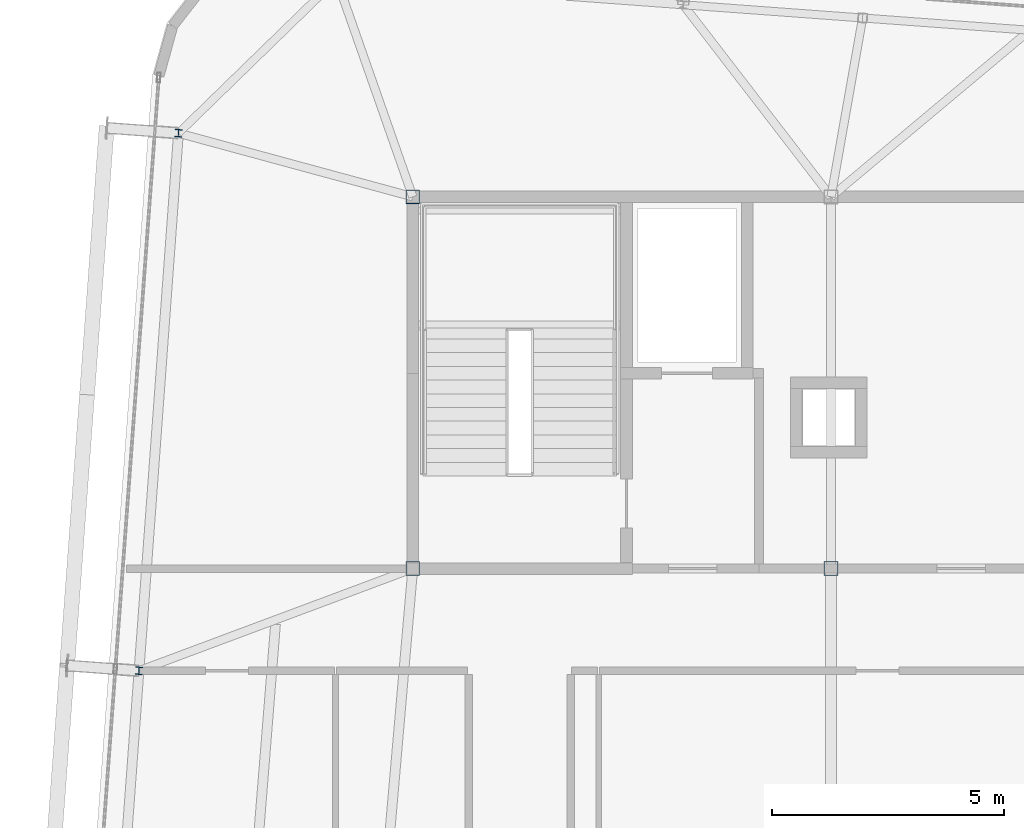
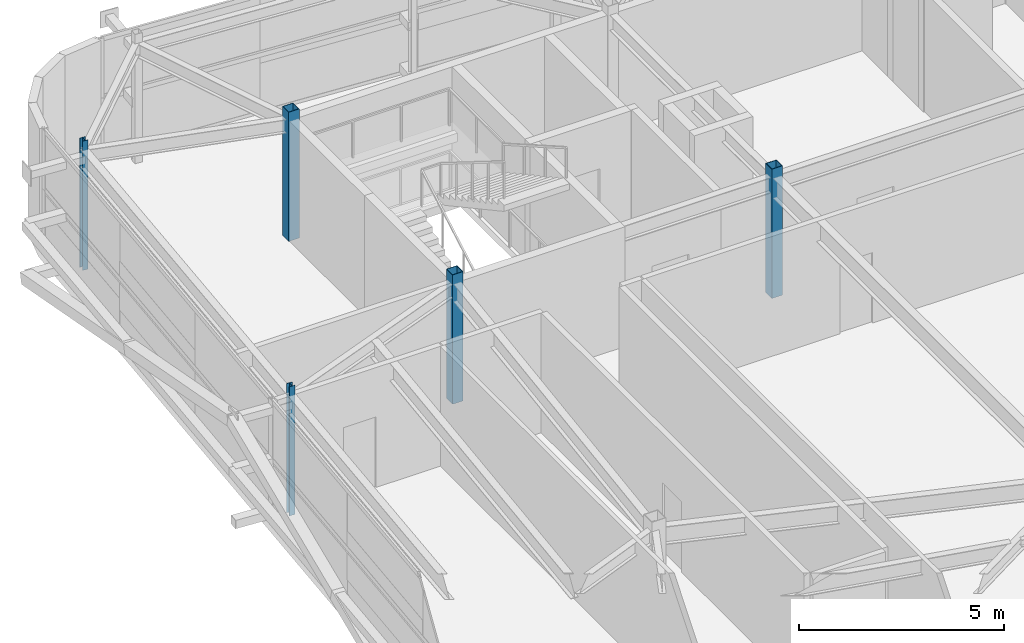
# One storey, part 3 of 35: 5 columns.
"""IFC4 building model written with IfcOpenShell, lengths in metres."""

from ifc_helpers import new_model, si_unit, direction, frame, origin, origin_2d, place, context, subcontext, project, spatial, hollow_rectangle, i_section, extrude, source, transform, mapped, material, material_profile, profile_set, type_object, element, save


model = new_model("IFC4")

# Units and contexts
model_context = context("Model", 3, precision=1e-05, world=origin(), true_north=direction((0.0, 1.0)))
body_context = subcontext(model_context, "Body", "Model", "MODEL_VIEW")
ifc_project = project(units=[si_unit("LENGTHUNIT", "METRE"), si_unit("AREAUNIT", "SQUARE_METRE"), si_unit("VOLUMEUNIT", "CUBIC_METRE"), si_unit("PLANEANGLEUNIT", "RADIAN"), si_unit("MASSUNIT", "GRAM", prefix="KILO")], contexts=[model_context])

# Site, building, storey
site_placement = place(None, origin())
site = spatial("IfcSite", under=ifc_project, at=site_placement, CompositionType="ELEMENT")
building_placement = place(site_placement, origin())
building = spatial("IfcBuilding", under=site, at=building_placement, Name="Taldren Reach Tower", CompositionType="ELEMENT")
storey_placement = place(building_placement, frame((0.0, 0.0, 249.199951171875)))
storey = spatial("IfcBuildingStorey", under=building, at=storey_placement, Name="L76", CompositionType="ELEMENT", Elevation=249.199951171875)

# Columns
ifc_material_1 = material(Name="Steel Gr 450 (C450L0)", Category="steel")
ifc_material_profile_1 = material_profile(ifc_material_1, hollow_rectangle(XDim=0.300048828125, YDim=0.300048828125, WallThickness=0.012451171875, at=origin_2d()), Name="300x300x12.5SHS")
ifc_profile_set_1 = profile_set([ifc_material_profile_1], Name="Steel Gr 450 (C450L0)")
column_type_1 = type_object("IfcColumnType", Name="COL-SHS300", PredefinedType="COLUMN", material=ifc_profile_set_1)
shared_shape_1 = source(origin(), body_context, "Body", "SweptSolid", [
    extrude(hollow_rectangle(XDim=0.300048828125, YDim=0.300048828125, WallThickness=0.012451171875, at=origin_2d()), origin(), (0.0, 0.0, 1.0), 3.85009765625),
])
for number, where, z_axis, x_axis, name in (
    (1, (19.0, 24.0, 0.0), (0.0, 0.0, 1.0), (1.0, 0.0, 0.0), "Mega column MC-C1 L76"),
    (2, (28.0, 24.0, 0.0), (0.0, 0.0, 1.0), (1.0, 0.0, 0.0), "Mega column MC-C2 L76"),
    (3, (19.0, 32.0, 0.0), (0.0, 0.0, 1.0), (1.0, 0.0, 0.0), "Mega column MC-C5 L76"),
):
    element("IfcColumn", number, at=place(storey_placement, frame(where, z_axis=z_axis, x_axis=x_axis)), inside=storey, type_object=column_type_1, Name=name, PredefinedType="COLUMN", context=body_context, shape_type="MappedRepresentation", body=[
        mapped(shared_shape_1, transform((0.0, 0.0, 0.0), scale=1.0)),
    ])
ifc_material_2 = material(Name="Steel Gr 350 (350PLUS)", Category="steel")
ifc_material_profile_2 = material_profile(ifc_material_2, i_section(OverallWidth=0.154052734375, OverallDepth=0.162109375, WebThickness=0.008056640625, FlangeThickness=0.011474609375, at=origin_2d()), Name="150UC37.2")
ifc_profile_set_2 = profile_set([ifc_material_profile_2], Name="Steel Gr 350 (350PLUS)")
column_type_2 = type_object("IfcColumnType", Name="COL-UC150", PredefinedType="COLUMN", material=ifc_profile_set_2)
shared_shape_2 = source(origin(), body_context, "Body", "SweptSolid", [
    extrude(i_section(OverallWidth=0.154052734375, OverallDepth=0.162109375, WebThickness=0.008056640625, FlangeThickness=0.011474609375, at=origin_2d()), origin(), (0.0, 0.0, 1.0), 3.85009765625),
])
for number, where, z_axis, x_axis, name in (
    (4, (13.108642578125, 21.80029296875, 0.0), (0.0, 0.0, 1.0), (0.997314477224, -0.073238197128, 0.0), "Block B5 perimeter column W2 L76"),
    (5, (13.958251953125, 33.369140625, 0.0), (0.0, 0.0, 1.0), (0.997314477224, -0.073238197128, 0.0), "Block B5 perimeter column W3 L76"),
):
    element("IfcColumn", number, at=place(storey_placement, frame(where, z_axis=z_axis, x_axis=x_axis)), inside=storey, type_object=column_type_2, Name=name, PredefinedType="COLUMN", context=body_context, shape_type="MappedRepresentation", body=[
        mapped(shared_shape_2, transform((0.0, 0.0, 0.0), scale=1.0)),
    ])

save(model, "model.ifc")
